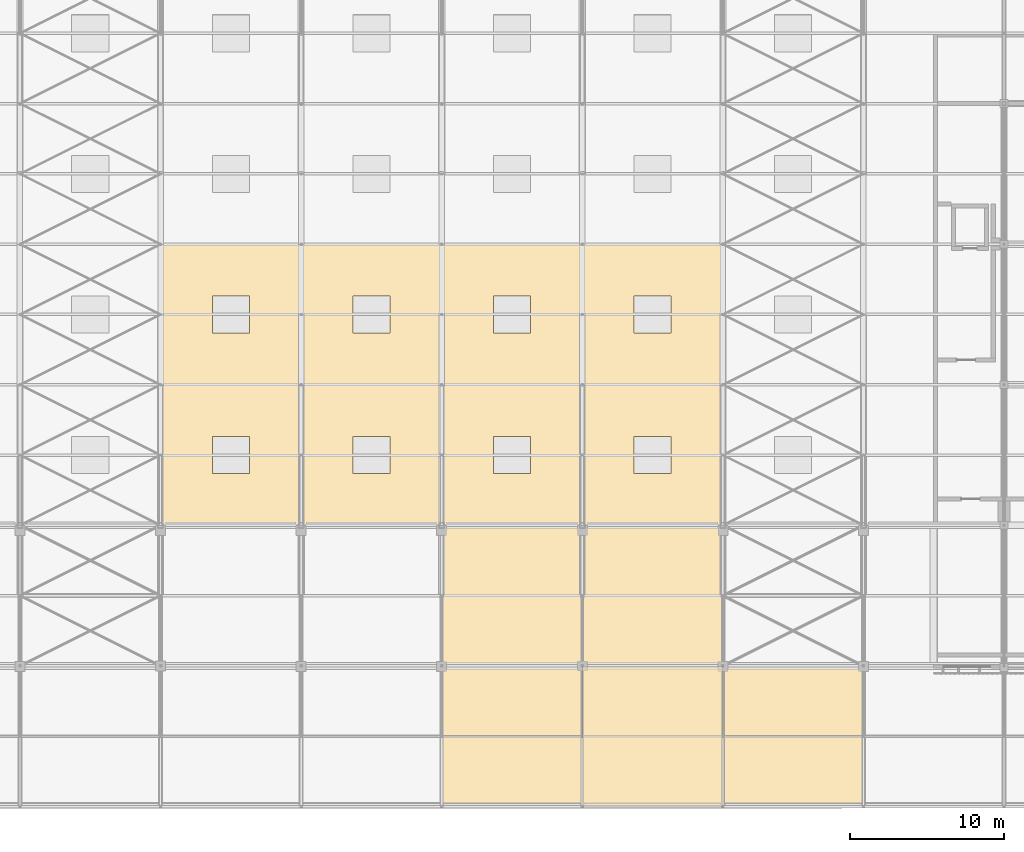
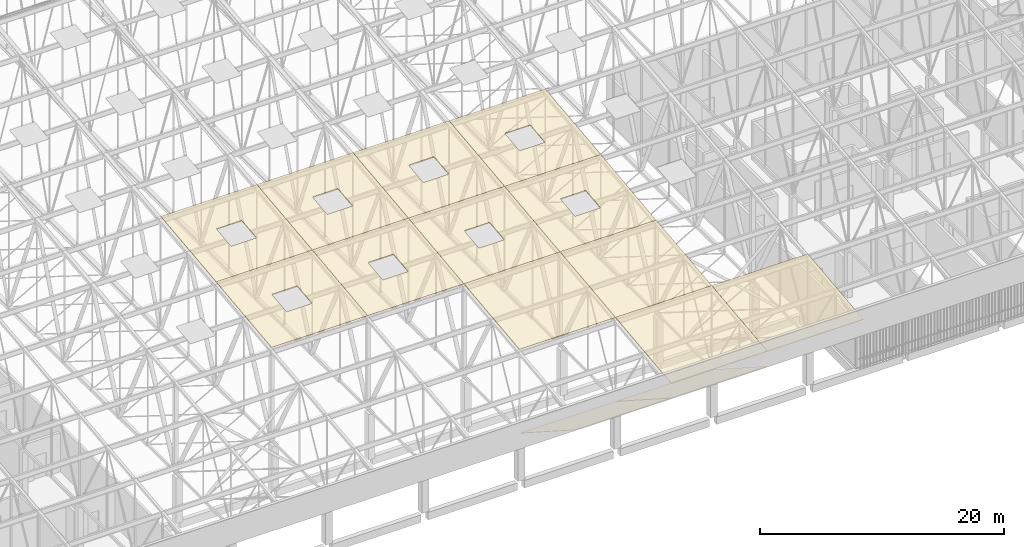
# One storey, part 466 of 500: 14 coverings.
"""IFC4 building model written with IfcOpenShell, lengths in metres."""

from ifc_helpers import new_model, si_unit, direction, frame, origin, place, context, subcontext, project, spatial, polyline, outline, extrude, material, layer, layer_set, type_object, element, save


model = new_model("IFC4")

# Units and contexts
model_context = context("Model", 3, precision=1e-05, world=origin(), true_north=direction((0.0, 1.0)))
body_context = subcontext(model_context, "Body", "Model", "MODEL_VIEW")
ifc_project = project(units=[si_unit("LENGTHUNIT", "METRE"), si_unit("AREAUNIT", "SQUARE_METRE"), si_unit("VOLUMEUNIT", "CUBIC_METRE"), si_unit("PLANEANGLEUNIT", "RADIAN"), si_unit("MASSUNIT", "GRAM", prefix="KILO")], contexts=[model_context])

# Site, building, storey
site_placement = place(None, origin())
site = spatial("IfcSite", under=ifc_project, at=site_placement, CompositionType="ELEMENT")
building_placement = place(site_placement, origin())
building = spatial("IfcBuilding", under=site, at=building_placement, Name="Shirokan Park Arena", CompositionType="ELEMENT")
storey_placement = place(building_placement, frame((0.0, 0.0, 29.1201171875)))
storey = spatial("IfcBuildingStorey", under=building, at=storey_placement, Name="L06", CompositionType="ELEMENT", Elevation=29.1201171875)

# Coverings
ifc_material_1 = material(Name="Bituminous roofing membrane")
ifc_layer_1 = layer(ifc_material_1, 0.010009765625, Name="Bituminous roofing membrane")
ifc_material_2 = material(Name="Mineral wool insulation")
ifc_layer_2 = layer(ifc_material_2, 0.050048828125, Name="Mineral wool insulation")
ifc_layer_set_1 = layer_set([ifc_layer_1, ifc_layer_2], Name="Bituminous roofing membrane + Mineral wool insulation")
covering_type_1 = type_object("IfcCoveringType", Name="Roofing membrane 60", PredefinedType="ROOFING", material=ifc_layer_set_1)
covering_1_placement = place(storey_placement, frame((54.60009765625, 9.10009765625, 13.970703125), z_axis=(0.0, -0.113552605302, 0.993531985308), x_axis=(1.0, 0.0, 0.0)))
element("IfcCovering", 1, at=covering_1_placement, inside=storey, type_object=covering_type_1, Name="Roofing", PredefinedType="ROOFING", context=body_context, shape_type="SweptSolid", body=[
    extrude(outline(polyline([(0.0, 0.0), (9.099853515625, 0.0), (9.099853515625, 9.159094674549365), (0.0, 9.159094674549365), (0.0, 0.0)]), holes=[polyline([(5.75, 3.371655970585497), (5.75, 5.787410981159839), (3.349853515625, 5.787410981159839), (3.349853515625, 3.371655970585497), (5.75, 3.371655970585497)])]), origin(), (0.0, 0.0, -1.0), 0.06005859375),
])
covering_2_placement = place(storey_placement, frame((54.60009765625, 18.199951171875, 15.0107421875), z_axis=(0.0, -0.113549598152, 0.993532328996), x_axis=(1.0, 0.0, 0.0)))
element("IfcCovering", 2, at=covering_2_placement, inside=storey, type_object=covering_type_1, Name="Roofing", PredefinedType="ROOFING", context=body_context, shape_type="SweptSolid", body=[
    extrude(outline(polyline([(0.0, 0.0), (9.099853515625, 0.0), (9.099853515625, 9.15933723611117), (0.0, 9.15933723611117), (0.0, 0.0)]), holes=[polyline([(5.75, 3.371898532319491), (5.75, 5.787410981721818), (3.349853515625, 5.787410981721818), (3.349853515625, 3.371898532319491), (5.75, 3.371898532319491)])]), origin(), (0.0, 0.0, -1.0), 0.06005859375),
])
covering_3_placement = place(storey_placement, frame((63.699951171875, 9.10009765625, 13.970703125), z_axis=(0.0, -0.113552605302, 0.993531985308), x_axis=(1.0, 0.0, 0.0)))
element("IfcCovering", 3, at=covering_3_placement, inside=storey, type_object=covering_type_1, Name="Roofing", PredefinedType="ROOFING", context=body_context, shape_type="SweptSolid", body=[
    extrude(outline(polyline([(0.0, 0.0), (9.10009765625, 0.0), (9.10009765625, 9.159094674549367), (0.0, 9.159094674549367), (0.0, 0.0)]), holes=[polyline([(5.75, 3.3716559705854974), (5.75, 5.78741098115984), (3.35009765625, 5.78741098115984), (3.35009765625, 3.3716559705854974), (5.75, 3.3716559705854974)])]), origin(), (0.0, 0.0, -1.0), 0.06005859375),
])
covering_4_placement = place(storey_placement, frame((63.699951171875, 18.199951171875, 15.0107421875), z_axis=(0.0, -0.113549598152, 0.993532328996), x_axis=(1.0, 0.0, 0.0)))
element("IfcCovering", 4, at=covering_4_placement, inside=storey, type_object=covering_type_1, Name="Roofing", PredefinedType="ROOFING", context=body_context, shape_type="SweptSolid", body=[
    extrude(outline(polyline([(0.0, 0.0), (9.10009765625, 0.0), (9.10009765625, 9.15933723611117), (0.0, 9.15933723611117), (0.0, 0.0)]), holes=[polyline([(5.75, 3.3718985323194914), (5.75, 5.787410981721819), (3.35009765625, 5.787410981721819), (3.35009765625, 3.3718985323194914), (5.75, 3.3718985323194914)])]), origin(), (0.0, 0.0, -1.0), 0.06005859375),
])
covering_5_placement = place(storey_placement, frame((72.800048828125, 0.0, 12.9306640625), z_axis=(0.0, -0.113549598152, 0.993532328996), x_axis=(1.0, 0.0, 0.0)))
element("IfcCovering", 5, at=covering_5_placement, inside=storey, type_object=covering_type_1, Name="Roofing", PredefinedType="ROOFING", context=body_context, shape_type="SweptSolid", body=[
    extrude(outline(polyline([(0.0, 0.0), (9.099853515625, 0.0), (9.099853515625, 9.15933723611117), (0.0, 9.15933723611117), (0.0, 0.0)])), origin(), (0.0, 0.0, -1.0), 0.06005859375),
])
covering_6_placement = place(storey_placement, frame((72.800048828125, 9.10009765625, 13.970703125), z_axis=(0.0, -0.113552605302, 0.993531985308), x_axis=(1.0, 0.0, 0.0)))
element("IfcCovering", 6, at=covering_6_placement, inside=storey, type_object=covering_type_1, Name="Roofing", PredefinedType="ROOFING", context=body_context, shape_type="SweptSolid", body=[
    extrude(outline(polyline([(0.0, 0.0), (9.099853515625, 0.0), (9.099853515625, 9.159094674549365), (0.0, 9.159094674549365), (0.0, 0.0)]), holes=[polyline([(5.75, 3.371655970585497), (5.75, 5.787410981159839), (3.349853515625, 5.787410981159839), (3.349853515625, 3.371655970585497), (5.75, 3.371655970585497)])]), origin(), (0.0, 0.0, -1.0), 0.06005859375),
])
covering_7_placement = place(storey_placement, frame((72.800048828125, 18.199951171875, 15.0107421875), z_axis=(0.0, -0.113549598152, 0.993532328996), x_axis=(1.0, 0.0, 0.0)))
element("IfcCovering", 7, at=covering_7_placement, inside=storey, type_object=covering_type_1, Name="Roofing", PredefinedType="ROOFING", context=body_context, shape_type="SweptSolid", body=[
    extrude(outline(polyline([(0.0, 0.0), (9.099853515625, 0.0), (9.099853515625, 9.15933723611117), (0.0, 9.15933723611117), (0.0, 0.0)]), holes=[polyline([(5.75, 3.371898532319491), (5.75, 5.787410981721818), (3.349853515625, 5.787410981721818), (3.349853515625, 3.371898532319491), (5.75, 3.371898532319491)])]), origin(), (0.0, 0.0, -1.0), 0.06005859375),
])
for number, where, z_axis, x_axis, name in (
    (8, (81.89990234375, -9.10009765625, 11.890625), (0.0, -0.113549598152, 0.993532328996), (1.0, 0.0, 0.0), "Roofing"),
    (9, (81.89990234375, 0.0, 12.9306640625), (0.0, -0.113549598152, 0.993532328996), (1.0, 0.0, 0.0), "Roofing"),
):
    element("IfcCovering", number, at=place(storey_placement, frame(where, z_axis=z_axis, x_axis=x_axis)), inside=storey, type_object=covering_type_1, Name=name, PredefinedType="ROOFING", context=body_context, shape_type="SweptSolid", body=[
        extrude(outline(polyline([(0.0, 0.0), (9.10009765625, 0.0), (9.10009765625, 9.15933723611117), (0.0, 9.15933723611117), (0.0, 0.0)])), origin(), (0.0, 0.0, -1.0), 0.06005859375),
    ])
covering_8_placement = place(storey_placement, frame((81.89990234375, 9.10009765625, 13.970703125), z_axis=(0.0, -0.113552605302, 0.993531985308), x_axis=(1.0, 0.0, 0.0)))
element("IfcCovering", 10, at=covering_8_placement, inside=storey, type_object=covering_type_1, Name="Roofing", PredefinedType="ROOFING", context=body_context, shape_type="SweptSolid", body=[
    extrude(outline(polyline([(0.0, 0.0), (9.10009765625, 0.0), (9.10009765625, 9.159094674549367), (0.0, 9.159094674549367), (0.0, 0.0)]), holes=[polyline([(5.75, 3.3716559705854974), (5.75, 5.78741098115984), (3.35009765625, 5.78741098115984), (3.35009765625, 3.3716559705854974), (5.75, 3.3716559705854974)])]), origin(), (0.0, 0.0, -1.0), 0.06005859375),
])
covering_9_placement = place(storey_placement, frame((81.89990234375, 18.199951171875, 15.0107421875), z_axis=(0.0, -0.113549598152, 0.993532328996), x_axis=(1.0, 0.0, 0.0)))
element("IfcCovering", 11, at=covering_9_placement, inside=storey, type_object=covering_type_1, Name="Roofing", PredefinedType="ROOFING", context=body_context, shape_type="SweptSolid", body=[
    extrude(outline(polyline([(0.0, 0.0), (9.10009765625, 0.0), (9.10009765625, 9.15933723611117), (0.0, 9.15933723611117), (0.0, 0.0)]), holes=[polyline([(5.75, 3.3718985323194914), (5.75, 5.787410981721819), (3.35009765625, 5.787410981721819), (3.35009765625, 3.3718985323194914), (5.75, 3.3718985323194914)])]), origin(), (0.0, 0.0, -1.0), 0.06005859375),
])
covering_10_placement = place(storey_placement, frame((91.0, -9.10009765625, 11.890625), z_axis=(0.0, -0.113549598152, 0.993532328996), x_axis=(1.0, 0.0, 0.0)))
element("IfcCovering", 12, at=covering_10_placement, inside=storey, type_object=covering_type_1, Name="Roofing", PredefinedType="ROOFING", context=body_context, shape_type="SweptSolid", body=[
    extrude(outline(polyline([(0.0, 0.0), (9.10009765625, 0.0), (9.10009765625, 9.15933723611117), (0.0, 9.15933723611117), (0.0, 0.0)])), origin(), (0.0, 0.0, -1.0), 0.06005859375),
])
ifc_material_3 = material(Name="Timber soffit boards (cedar)", Category="wood")
ifc_layer_3 = layer(ifc_material_3, 0.030029296875)
ifc_layer_set_2 = layer_set([ifc_layer_3], Name="Timber soffit boards (cedar) 30 mm")
covering_type_2 = type_object("IfcCoveringType", Name="Timber boarded soffit panel", PredefinedType="CLADDING", material=ifc_layer_set_2)
covering_11_placement = place(storey_placement, origin())
element("IfcCovering", 13, at=covering_11_placement, inside=storey, type_object=covering_type_2, Name="Eave soffit south bay 9", PredefinedType="CLADDING", context=body_context, shape_type="SweptSolid", body=[
    extrude(outline(polyline([(0.0, 0.0), (0.14269332184794056, 0.0), (0.14269332184794056, -9.10000000000001), (0.0, -9.10000000000001), (0.0, 0.0)])), frame((81.89990234375, -8.97998046875, 10.3037109375), z_axis=(0.0, 0.541090493936, 0.840964373427), x_axis=(0.0, -0.840964373427, 0.541090493936)), (0.0, 0.0, -1.0), 0.030029296875),
    extrude(outline(polyline([(0.0, 0.0), (0.1426933218479412, 0.0), (0.1426933218479412, -9.10000000000001), (0.0, -9.10000000000001), (0.0, 0.0)])), frame((72.800048828125, -0.1201171875, 4.60302734375), z_axis=(0.0, 0.541090493936, 0.840964373427), x_axis=(0.0, 0.840964373427, -0.541090493936)), (0.0, 0.0, -1.0), 0.030029296875),
    extrude(outline(polyline([(0.0, 0.0), (0.12000000000000455, 0.0), (0.12000000000000455, -10.535473996759707), (0.0, -10.535473996759707), (0.0, 0.0)])), frame((81.89990234375, -8.97998046875, 10.3037109375), z_axis=(0.0, 0.541084340558, 0.84096833258), x_axis=(-1.0, 0.0, 0.0)), (0.0, 0.0, -1.0), 0.030029296875),
    extrude(outline(polyline([(0.0, 0.0), (0.12000000000000455, 0.0), (0.12000000000000455, -10.535473996759707), (0.0, -10.535473996759707), (0.0, 0.0)])), frame((72.800048828125, -0.1201171875, 4.60302734375), z_axis=(0.0, 0.541084340558, 0.84096833258), x_axis=(1.0, 0.0, 0.0)), (0.0, 0.0, -1.0), 0.030029296875),
    extrude(outline(polyline([(0.0, 0.0), (10.535473996759707, 0.0), (10.535473996759707, -0.183329999999998), (0.0, -0.183329999999998), (0.0, 0.0)])), frame((72.919921875, -8.97998046875, 10.3037109375), z_axis=(0.0, 0.541084340558, 0.84096833258), x_axis=(0.0, 0.84096833258, -0.541084340558)), (0.0, 0.0, -1.0), 0.030029296875),
    extrude(outline(polyline([(0.0, 0.0), (10.535473996759707, 0.0), (10.535473996759707, -0.3033400000000057), (0.0, -0.3033400000000057), (0.0, 0.0)])), frame((73.103271484375, -8.97998046875, 10.3037109375), z_axis=(0.0, 0.541084340558, 0.84096833258), x_axis=(0.0, 0.84096833258, -0.541084340558)), (0.0, 0.0, -1.0), 0.030029296875),
    extrude(outline(polyline([(0.0, 0.0), (10.535473996759707, 0.0), (10.535473996759707, -0.3033299999999883), (0.0, -0.3033299999999883), (0.0, 0.0)])), frame((73.40673828125, -8.97998046875, 10.3037109375), z_axis=(0.0, 0.541084340558, 0.84096833258), x_axis=(0.0, 0.84096833258, -0.541084340558)), (0.0, 0.0, -1.0), 0.030029296875),
    extrude(outline(polyline([(0.0, 0.0), (10.535473996759709, 0.0), (10.535473996759709, -0.30333000000000254), (0.0, -0.30333000000000254), (0.0, 0.0)])), frame((73.7099609375, -8.97998046875, 10.3037109375), z_axis=(0.0, 0.541084340558, 0.84096833258), x_axis=(0.0, 0.84096833258, -0.541084340558)), (0.0, 0.0, -1.0), 0.030029296875),
    extrude(outline(polyline([(0.0, 0.0), (10.535473996759707, 0.0), (10.535473996759707, -0.3033400000000057), (0.0, -0.3033400000000057), (0.0, 0.0)])), frame((74.013427734375, -8.97998046875, 10.3037109375), z_axis=(0.0, 0.541084340558, 0.84096833258), x_axis=(0.0, 0.84096833258, -0.541084340558)), (0.0, 0.0, -1.0), 0.030029296875),
    extrude(outline(polyline([(0.0, 0.0), (10.535473996759707, 0.0), (10.535473996759707, -0.30333000000000254), (0.0, -0.30333000000000254), (0.0, 0.0)])), frame((74.316650390625, -8.97998046875, 10.3037109375), z_axis=(0.0, 0.541084340558, 0.84096833258), x_axis=(0.0, 0.84096833258, -0.541084340558)), (0.0, 0.0, -1.0), 0.030029296875),
    extrude(outline(polyline([(0.0, 0.0), (10.535473996759709, 0.0), (10.535473996759709, -0.30333000000000254), (0.0, -0.30333000000000254), (0.0, 0.0)])), frame((74.6201171875, -8.97998046875, 10.3037109375), z_axis=(0.0, 0.541084340558, 0.84096833258), x_axis=(0.0, 0.84096833258, -0.541084340558)), (0.0, 0.0, -1.0), 0.030029296875),
    extrude(outline(polyline([(0.0, 0.0), (10.535473996759709, 0.0), (10.535473996759709, -0.3033399999999915), (0.0, -0.3033399999999915), (0.0, 0.0)])), frame((74.92333984375, -8.97998046875, 10.3037109375), z_axis=(0.0, 0.541084340558, 0.84096833258), x_axis=(0.0, 0.84096833258, -0.541084340558)), (0.0, 0.0, -1.0), 0.030029296875),
    extrude(outline(polyline([(0.0, 0.0), (10.535473996759709, 0.0), (10.535473996759709, -0.30333000000000254), (0.0, -0.30333000000000254), (0.0, 0.0)])), frame((75.2265625, -8.97998046875, 10.3037109375), z_axis=(0.0, 0.541084340558, 0.84096833258), x_axis=(0.0, 0.84096833258, -0.541084340558)), (0.0, 0.0, -1.0), 0.030029296875),
    extrude(outline(polyline([(0.0, 0.0), (10.535473996759707, 0.0), (10.535473996759707, -0.30333000000000254), (0.0, -0.30333000000000254), (0.0, 0.0)])), frame((75.530029296875, -8.97998046875, 10.3037109375), z_axis=(0.0, 0.541084340558, 0.84096833258), x_axis=(0.0, 0.84096833258, -0.541084340558)), (0.0, 0.0, -1.0), 0.030029296875),
    extrude(outline(polyline([(0.0, 0.0), (10.535473996759709, 0.0), (10.535473996759709, -0.3033399999999915), (0.0, -0.3033399999999915), (0.0, 0.0)])), frame((75.833251953125, -8.97998046875, 10.3037109375), z_axis=(0.0, 0.541084340558, 0.84096833258), x_axis=(0.0, 0.84096833258, -0.541084340558)), (0.0, 0.0, -1.0), 0.030029296875),
    extrude(outline(polyline([(0.0, 0.0), (10.535473996759709, 0.0), (10.535473996759709, -0.30333000000000254), (0.0, -0.30333000000000254), (0.0, 0.0)])), frame((76.13671875, -8.97998046875, 10.3037109375), z_axis=(0.0, 0.541084340558, 0.84096833258), x_axis=(0.0, 0.84096833258, -0.541084340558)), (0.0, 0.0, -1.0), 0.030029296875),
    extrude(outline(polyline([(0.0, 0.0), (10.535473996759707, 0.0), (10.535473996759707, -0.30333000000000254), (0.0, -0.30333000000000254), (0.0, 0.0)])), frame((76.43994140625, -8.97998046875, 10.3037109375), z_axis=(0.0, 0.541084340558, 0.84096833258), x_axis=(0.0, 0.84096833258, -0.541084340558)), (0.0, 0.0, -1.0), 0.030029296875),
    extrude(outline(polyline([(0.0, 0.0), (10.535473996759707, 0.0), (10.535473996759707, -0.3033400000000057), (0.0, -0.3033400000000057), (0.0, 0.0)])), frame((76.743408203125, -8.97998046875, 10.3037109375), z_axis=(0.0, 0.541084340558, 0.84096833258), x_axis=(0.0, 0.84096833258, -0.541084340558)), (0.0, 0.0, -1.0), 0.030029296875),
    extrude(outline(polyline([(0.0, 0.0), (10.535473996759707, 0.0), (10.535473996759707, -0.3033299999999883), (0.0, -0.3033299999999883), (0.0, 0.0)])), frame((77.046630859375, -8.97998046875, 10.3037109375), z_axis=(0.0, 0.541084340558, 0.84096833258), x_axis=(0.0, 0.84096833258, -0.541084340558)), (0.0, 0.0, -1.0), 0.030029296875),
    extrude(outline(polyline([(0.0, 0.0), (10.535473996759709, 0.0), (10.535473996759709, -0.30333000000000254), (0.0, -0.30333000000000254), (0.0, 0.0)])), frame((77.35009765625, -8.97998046875, 10.3037109375), z_axis=(0.0, 0.541084340558, 0.84096833258), x_axis=(0.0, 0.84096833258, -0.541084340558)), (0.0, 0.0, -1.0), 0.030029296875),
    extrude(outline(polyline([(0.0, 0.0), (10.535473996759707, 0.0), (10.535473996759707, -0.3033400000000057), (0.0, -0.3033400000000057), (0.0, 0.0)])), frame((77.6533203125, -8.97998046875, 10.3037109375), z_axis=(0.0, 0.541084340558, 0.84096833258), x_axis=(0.0, 0.84096833258, -0.541084340558)), (0.0, 0.0, -1.0), 0.030029296875),
    extrude(outline(polyline([(0.0, 0.0), (10.535473996759707, 0.0), (10.535473996759707, -0.30333000000000254), (0.0, -0.30333000000000254), (0.0, 0.0)])), frame((77.956787109375, -8.97998046875, 10.3037109375), z_axis=(0.0, 0.541084340558, 0.84096833258), x_axis=(0.0, 0.84096833258, -0.541084340558)), (0.0, 0.0, -1.0), 0.030029296875),
    extrude(outline(polyline([(0.0, 0.0), (10.535473996759707, 0.0), (10.535473996759707, -0.3033299999999883), (0.0, -0.3033299999999883), (0.0, 0.0)])), frame((78.260009765625, -8.97998046875, 10.3037109375), z_axis=(0.0, 0.541084340558, 0.84096833258), x_axis=(0.0, 0.84096833258, -0.541084340558)), (0.0, 0.0, -1.0), 0.030029296875),
    extrude(outline(polyline([(0.0, 0.0), (10.535473996759707, 0.0), (10.535473996759707, -0.3033400000000057), (0.0, -0.3033400000000057), (0.0, 0.0)])), frame((78.563232421875, -8.97998046875, 10.3037109375), z_axis=(0.0, 0.541084340558, 0.84096833258), x_axis=(0.0, 0.84096833258, -0.541084340558)), (0.0, 0.0, -1.0), 0.030029296875),
    extrude(outline(polyline([(0.0, 0.0), (10.535473996759709, 0.0), (10.535473996759709, -0.30333000000000254), (0.0, -0.30333000000000254), (0.0, 0.0)])), frame((78.86669921875, -8.97998046875, 10.3037109375), z_axis=(0.0, 0.541084340558, 0.84096833258), x_axis=(0.0, 0.84096833258, -0.541084340558)), (0.0, 0.0, -1.0), 0.030029296875),
    extrude(outline(polyline([(0.0, 0.0), (10.535473996759707, 0.0), (10.535473996759707, -0.30333000000000254), (0.0, -0.30333000000000254), (0.0, 0.0)])), frame((79.169921875, -8.97998046875, 10.3037109375), z_axis=(0.0, 0.541084340558, 0.84096833258), x_axis=(0.0, 0.84096833258, -0.541084340558)), (0.0, 0.0, -1.0), 0.030029296875),
    extrude(outline(polyline([(0.0, 0.0), (10.535473996759707, 0.0), (10.535473996759707, -0.3033399999999915), (0.0, -0.3033399999999915), (0.0, 0.0)])), frame((79.473388671875, -8.97998046875, 10.3037109375), z_axis=(0.0, 0.541084340558, 0.84096833258), x_axis=(0.0, 0.84096833258, -0.541084340558)), (0.0, 0.0, -1.0), 0.030029296875),
    extrude(outline(polyline([(0.0, 0.0), (10.535473996759707, 0.0), (10.535473996759707, -0.30333000000000254), (0.0, -0.30333000000000254), (0.0, 0.0)])), frame((79.776611328125, -8.97998046875, 10.3037109375), z_axis=(0.0, 0.541084340558, 0.84096833258), x_axis=(0.0, 0.84096833258, -0.541084340558)), (0.0, 0.0, -1.0), 0.030029296875),
    extrude(outline(polyline([(0.0, 0.0), (10.535473996759709, 0.0), (10.535473996759709, -0.30333000000000254), (0.0, -0.30333000000000254), (0.0, 0.0)])), frame((80.080078125, -8.97998046875, 10.3037109375), z_axis=(0.0, 0.541084340558, 0.84096833258), x_axis=(0.0, 0.84096833258, -0.541084340558)), (0.0, 0.0, -1.0), 0.030029296875),
    extrude(outline(polyline([(0.0, 0.0), (10.535473996759707, 0.0), (10.535473996759707, -0.3033400000000057), (0.0, -0.3033400000000057), (0.0, 0.0)])), frame((80.38330078125, -8.97998046875, 10.3037109375), z_axis=(0.0, 0.541084340558, 0.84096833258), x_axis=(0.0, 0.84096833258, -0.541084340558)), (0.0, 0.0, -1.0), 0.030029296875),
    extrude(outline(polyline([(0.0, 0.0), (10.535473996759707, 0.0), (10.535473996759707, -0.3033299999999883), (0.0, -0.3033299999999883), (0.0, 0.0)])), frame((80.686767578125, -8.97998046875, 10.3037109375), z_axis=(0.0, 0.541084340558, 0.84096833258), x_axis=(0.0, 0.84096833258, -0.541084340558)), (0.0, 0.0, -1.0), 0.030029296875),
    extrude(outline(polyline([(0.0, 0.0), (10.535473996759709, 0.0), (10.535473996759709, -0.30333000000000254), (0.0, -0.30333000000000254), (0.0, 0.0)])), frame((80.989990234375, -8.97998046875, 10.3037109375), z_axis=(0.0, 0.541084340558, 0.84096833258), x_axis=(0.0, 0.84096833258, -0.541084340558)), (0.0, 0.0, -1.0), 0.030029296875),
    extrude(outline(polyline([(0.0, 0.0), (10.535473996759707, 0.0), (10.535473996759707, -0.3033400000000057), (0.0, -0.3033400000000057), (0.0, 0.0)])), frame((81.293212890625, -8.97998046875, 10.3037109375), z_axis=(0.0, 0.541084340558, 0.84096833258), x_axis=(0.0, 0.84096833258, -0.541084340558)), (0.0, 0.0, -1.0), 0.030029296875),
    extrude(outline(polyline([(0.0, 0.0), (0.183329999999998, 0.0), (0.183329999999998, -10.535473996759709), (0.0, -10.535473996759709), (0.0, 0.0)])), frame((81.780029296875, -8.97998046875, 10.3037109375), z_axis=(0.0, 0.541084340558, 0.84096833258), x_axis=(-1.0, 0.0, 0.0)), (0.0, 0.0, -1.0), 0.030029296875),
])
covering_12_placement = place(storey_placement, origin())
element("IfcCovering", 14, at=covering_12_placement, inside=storey, type_object=covering_type_2, Name="Eave soffit south bay 10", PredefinedType="CLADDING", context=body_context, shape_type="SweptSolid", body=[
    extrude(outline(polyline([(0.0, 0.0), (0.14269332184794056, 0.0), (0.14269332184794056, -9.099999999999996), (0.0, -9.099999999999996), (0.0, 0.0)])), frame((91.0, -8.97998046875, 10.3037109375), z_axis=(0.0, 0.541090493936, 0.840964373427), x_axis=(0.0, -0.840964373427, 0.541090493936)), (0.0, 0.0, -1.0), 0.030029296875),
    extrude(outline(polyline([(0.0, 0.0), (0.1426933218479412, 0.0), (0.1426933218479412, -9.099999999999994), (0.0, -9.099999999999994), (0.0, 0.0)])), frame((81.89990234375, -0.1201171875, 4.60302734375), z_axis=(0.0, 0.541090493936, 0.840964373427), x_axis=(0.0, 0.840964373427, -0.541090493936)), (0.0, 0.0, -1.0), 0.030029296875),
    extrude(outline(polyline([(0.0, 0.0), (0.12000000000000455, 0.0), (0.12000000000000455, -10.535473996759707), (0.0, -10.535473996759707), (0.0, 0.0)])), frame((91.0, -8.97998046875, 10.3037109375), z_axis=(0.0, 0.541084340558, 0.84096833258), x_axis=(-1.0, 0.0, 0.0)), (0.0, 0.0, -1.0), 0.030029296875),
    extrude(outline(polyline([(0.0, 0.0), (0.11999999999999034, 0.0), (0.11999999999999034, -10.535473996759707), (0.0, -10.535473996759707), (0.0, 0.0)])), frame((81.89990234375, -0.1201171875, 4.60302734375), z_axis=(0.0, 0.541084340558, 0.84096833258), x_axis=(1.0, 0.0, 0.0)), (0.0, 0.0, -1.0), 0.030029296875),
    extrude(outline(polyline([(0.0, 0.0), (10.535473996759707, 0.0), (10.535473996759707, -0.183329999999998), (0.0, -0.183329999999998), (0.0, 0.0)])), frame((82.02001953125, -8.97998046875, 10.3037109375), z_axis=(0.0, 0.541084340558, 0.84096833258), x_axis=(0.0, 0.84096833258, -0.541084340558)), (0.0, 0.0, -1.0), 0.030029296875),
    extrude(outline(polyline([(0.0, 0.0), (10.535473996759707, 0.0), (10.535473996759707, -0.3033400000000057), (0.0, -0.3033400000000057), (0.0, 0.0)])), frame((82.203369140625, -8.97998046875, 10.3037109375), z_axis=(0.0, 0.541084340558, 0.84096833258), x_axis=(0.0, 0.84096833258, -0.541084340558)), (0.0, 0.0, -1.0), 0.030029296875),
    extrude(outline(polyline([(0.0, 0.0), (10.535473996759709, 0.0), (10.535473996759709, -0.30333000000000254), (0.0, -0.30333000000000254), (0.0, 0.0)])), frame((82.506591796875, -8.97998046875, 10.3037109375), z_axis=(0.0, 0.541084340558, 0.84096833258), x_axis=(0.0, 0.84096833258, -0.541084340558)), (0.0, 0.0, -1.0), 0.030029296875),
    extrude(outline(polyline([(0.0, 0.0), (10.535473996759707, 0.0), (10.535473996759707, -0.30333000000000254), (0.0, -0.30333000000000254), (0.0, 0.0)])), frame((82.81005859375, -8.97998046875, 10.3037109375), z_axis=(0.0, 0.541084340558, 0.84096833258), x_axis=(0.0, 0.84096833258, -0.541084340558)), (0.0, 0.0, -1.0), 0.030029296875),
    extrude(outline(polyline([(0.0, 0.0), (10.535473996759707, 0.0), (10.535473996759707, -0.3033399999999915), (0.0, -0.3033399999999915), (0.0, 0.0)])), frame((83.11328125, -8.97998046875, 10.3037109375), z_axis=(0.0, 0.541084340558, 0.84096833258), x_axis=(0.0, 0.84096833258, -0.541084340558)), (0.0, 0.0, -1.0), 0.030029296875),
    extrude(outline(polyline([(0.0, 0.0), (10.535473996759707, 0.0), (10.535473996759707, -0.30333000000000254), (0.0, -0.30333000000000254), (0.0, 0.0)])), frame((83.416748046875, -8.97998046875, 10.3037109375), z_axis=(0.0, 0.541084340558, 0.84096833258), x_axis=(0.0, 0.84096833258, -0.541084340558)), (0.0, 0.0, -1.0), 0.030029296875),
    extrude(outline(polyline([(0.0, 0.0), (10.535473996759709, 0.0), (10.535473996759709, -0.30333000000000254), (0.0, -0.30333000000000254), (0.0, 0.0)])), frame((83.719970703125, -8.97998046875, 10.3037109375), z_axis=(0.0, 0.541084340558, 0.84096833258), x_axis=(0.0, 0.84096833258, -0.541084340558)), (0.0, 0.0, -1.0), 0.030029296875),
    extrude(outline(polyline([(0.0, 0.0), (10.535473996759709, 0.0), (10.535473996759709, -0.3033399999999915), (0.0, -0.3033399999999915), (0.0, 0.0)])), frame((84.0234375, -8.97998046875, 10.3037109375), z_axis=(0.0, 0.541084340558, 0.84096833258), x_axis=(0.0, 0.84096833258, -0.541084340558)), (0.0, 0.0, -1.0), 0.030029296875),
    extrude(outline(polyline([(0.0, 0.0), (10.535473996759709, 0.0), (10.535473996759709, -0.30333000000000254), (0.0, -0.30333000000000254), (0.0, 0.0)])), frame((84.32666015625, -8.97998046875, 10.3037109375), z_axis=(0.0, 0.541084340558, 0.84096833258), x_axis=(0.0, 0.84096833258, -0.541084340558)), (0.0, 0.0, -1.0), 0.030029296875),
    extrude(outline(polyline([(0.0, 0.0), (10.535473996759707, 0.0), (10.535473996759707, -0.30333000000000254), (0.0, -0.30333000000000254), (0.0, 0.0)])), frame((84.6298828125, -8.97998046875, 10.3037109375), z_axis=(0.0, 0.541084340558, 0.84096833258), x_axis=(0.0, 0.84096833258, -0.541084340558)), (0.0, 0.0, -1.0), 0.030029296875),
    extrude(outline(polyline([(0.0, 0.0), (10.535473996759707, 0.0), (10.535473996759707, -0.3033400000000057), (0.0, -0.3033400000000057), (0.0, 0.0)])), frame((84.933349609375, -8.97998046875, 10.3037109375), z_axis=(0.0, 0.541084340558, 0.84096833258), x_axis=(0.0, 0.84096833258, -0.541084340558)), (0.0, 0.0, -1.0), 0.030029296875),
    extrude(outline(polyline([(0.0, 0.0), (10.535473996759707, 0.0), (10.535473996759707, -0.30333000000000254), (0.0, -0.30333000000000254), (0.0, 0.0)])), frame((85.236572265625, -8.97998046875, 10.3037109375), z_axis=(0.0, 0.541084340558, 0.84096833258), x_axis=(0.0, 0.84096833258, -0.541084340558)), (0.0, 0.0, -1.0), 0.030029296875),
    extrude(outline(polyline([(0.0, 0.0), (10.535473996759707, 0.0), (10.535473996759707, -0.3033299999999883), (0.0, -0.3033299999999883), (0.0, 0.0)])), frame((85.5400390625, -8.97998046875, 10.3037109375), z_axis=(0.0, 0.541084340558, 0.84096833258), x_axis=(0.0, 0.84096833258, -0.541084340558)), (0.0, 0.0, -1.0), 0.030029296875),
    extrude(outline(polyline([(0.0, 0.0), (10.535473996759707, 0.0), (10.535473996759707, -0.3033400000000057), (0.0, -0.3033400000000057), (0.0, 0.0)])), frame((85.84326171875, -8.97998046875, 10.3037109375), z_axis=(0.0, 0.541084340558, 0.84096833258), x_axis=(0.0, 0.84096833258, -0.541084340558)), (0.0, 0.0, -1.0), 0.030029296875),
    extrude(outline(polyline([(0.0, 0.0), (10.535473996759709, 0.0), (10.535473996759709, -0.30333000000000254), (0.0, -0.30333000000000254), (0.0, 0.0)])), frame((86.146728515625, -8.97998046875, 10.3037109375), z_axis=(0.0, 0.541084340558, 0.84096833258), x_axis=(0.0, 0.84096833258, -0.541084340558)), (0.0, 0.0, -1.0), 0.030029296875),
    extrude(outline(polyline([(0.0, 0.0), (10.535473996759707, 0.0), (10.535473996759707, -0.30333000000000254), (0.0, -0.30333000000000254), (0.0, 0.0)])), frame((86.449951171875, -8.97998046875, 10.3037109375), z_axis=(0.0, 0.541084340558, 0.84096833258), x_axis=(0.0, 0.84096833258, -0.541084340558)), (0.0, 0.0, -1.0), 0.030029296875),
    extrude(outline(polyline([(0.0, 0.0), (10.535473996759707, 0.0), (10.535473996759707, -0.3033399999999915), (0.0, -0.3033399999999915), (0.0, 0.0)])), frame((86.75341796875, -8.97998046875, 10.3037109375), z_axis=(0.0, 0.541084340558, 0.84096833258), x_axis=(0.0, 0.84096833258, -0.541084340558)), (0.0, 0.0, -1.0), 0.030029296875),
    extrude(outline(polyline([(0.0, 0.0), (10.535473996759707, 0.0), (10.535473996759707, -0.30333000000000254), (0.0, -0.30333000000000254), (0.0, 0.0)])), frame((87.056640625, -8.97998046875, 10.3037109375), z_axis=(0.0, 0.541084340558, 0.84096833258), x_axis=(0.0, 0.84096833258, -0.541084340558)), (0.0, 0.0, -1.0), 0.030029296875),
    extrude(outline(polyline([(0.0, 0.0), (10.535473996759709, 0.0), (10.535473996759709, -0.30333000000000254), (0.0, -0.30333000000000254), (0.0, 0.0)])), frame((87.360107421875, -8.97998046875, 10.3037109375), z_axis=(0.0, 0.541084340558, 0.84096833258), x_axis=(0.0, 0.84096833258, -0.541084340558)), (0.0, 0.0, -1.0), 0.030029296875),
    extrude(outline(polyline([(0.0, 0.0), (10.535473996759709, 0.0), (10.535473996759709, -0.3033399999999915), (0.0, -0.3033399999999915), (0.0, 0.0)])), frame((87.663330078125, -8.97998046875, 10.3037109375), z_axis=(0.0, 0.541084340558, 0.84096833258), x_axis=(0.0, 0.84096833258, -0.541084340558)), (0.0, 0.0, -1.0), 0.030029296875),
    extrude(outline(polyline([(0.0, 0.0), (10.535473996759709, 0.0), (10.535473996759709, -0.30333000000000254), (0.0, -0.30333000000000254), (0.0, 0.0)])), frame((87.966552734375, -8.97998046875, 10.3037109375), z_axis=(0.0, 0.541084340558, 0.84096833258), x_axis=(0.0, 0.84096833258, -0.541084340558)), (0.0, 0.0, -1.0), 0.030029296875),
    extrude(outline(polyline([(0.0, 0.0), (10.535473996759707, 0.0), (10.535473996759707, -0.30333000000000254), (0.0, -0.30333000000000254), (0.0, 0.0)])), frame((88.27001953125, -8.97998046875, 10.3037109375), z_axis=(0.0, 0.541084340558, 0.84096833258), x_axis=(0.0, 0.84096833258, -0.541084340558)), (0.0, 0.0, -1.0), 0.030029296875),
    extrude(outline(polyline([(0.0, 0.0), (10.535473996759707, 0.0), (10.535473996759707, -0.3033400000000057), (0.0, -0.3033400000000057), (0.0, 0.0)])), frame((88.5732421875, -8.97998046875, 10.3037109375), z_axis=(0.0, 0.541084340558, 0.84096833258), x_axis=(0.0, 0.84096833258, -0.541084340558)), (0.0, 0.0, -1.0), 0.030029296875),
    extrude(outline(polyline([(0.0, 0.0), (10.535473996759709, 0.0), (10.535473996759709, -0.30333000000000254), (0.0, -0.30333000000000254), (0.0, 0.0)])), frame((88.876708984375, -8.97998046875, 10.3037109375), z_axis=(0.0, 0.541084340558, 0.84096833258), x_axis=(0.0, 0.84096833258, -0.541084340558)), (0.0, 0.0, -1.0), 0.030029296875),
    extrude(outline(polyline([(0.0, 0.0), (10.535473996759707, 0.0), (10.535473996759707, -0.3033299999999883), (0.0, -0.3033299999999883), (0.0, 0.0)])), frame((89.179931640625, -8.97998046875, 10.3037109375), z_axis=(0.0, 0.541084340558, 0.84096833258), x_axis=(0.0, 0.84096833258, -0.541084340558)), (0.0, 0.0, -1.0), 0.030029296875),
    extrude(outline(polyline([(0.0, 0.0), (10.535473996759707, 0.0), (10.535473996759707, -0.3033400000000057), (0.0, -0.3033400000000057), (0.0, 0.0)])), frame((89.4833984375, -8.97998046875, 10.3037109375), z_axis=(0.0, 0.541084340558, 0.84096833258), x_axis=(0.0, 0.84096833258, -0.541084340558)), (0.0, 0.0, -1.0), 0.030029296875),
    extrude(outline(polyline([(0.0, 0.0), (10.535473996759709, 0.0), (10.535473996759709, -0.30333000000000254), (0.0, -0.30333000000000254), (0.0, 0.0)])), frame((89.78662109375, -8.97998046875, 10.3037109375), z_axis=(0.0, 0.541084340558, 0.84096833258), x_axis=(0.0, 0.84096833258, -0.541084340558)), (0.0, 0.0, -1.0), 0.030029296875),
    extrude(outline(polyline([(0.0, 0.0), (10.535473996759709, 0.0), (10.535473996759709, -0.30333000000000254), (0.0, -0.30333000000000254), (0.0, 0.0)])), frame((90.090087890625, -8.97998046875, 10.3037109375), z_axis=(0.0, 0.541084340558, 0.84096833258), x_axis=(0.0, 0.84096833258, -0.541084340558)), (0.0, 0.0, -1.0), 0.030029296875),
    extrude(outline(polyline([(0.0, 0.0), (10.535473996759707, 0.0), (10.535473996759707, -0.3033399999999915), (0.0, -0.3033399999999915), (0.0, 0.0)])), frame((90.393310546875, -8.97998046875, 10.3037109375), z_axis=(0.0, 0.541084340558, 0.84096833258), x_axis=(0.0, 0.84096833258, -0.541084340558)), (0.0, 0.0, -1.0), 0.030029296875),
    extrude(outline(polyline([(0.0, 0.0), (10.535473996759707, 0.0), (10.535473996759707, -0.183329999999998), (0.0, -0.183329999999998), (0.0, 0.0)])), frame((90.69677734375, -8.97998046875, 10.3037109375), z_axis=(0.0, 0.541084340558, 0.84096833258), x_axis=(0.0, 0.84096833258, -0.541084340558)), (0.0, 0.0, -1.0), 0.030029296875),
])

save(model, "model.ifc")
